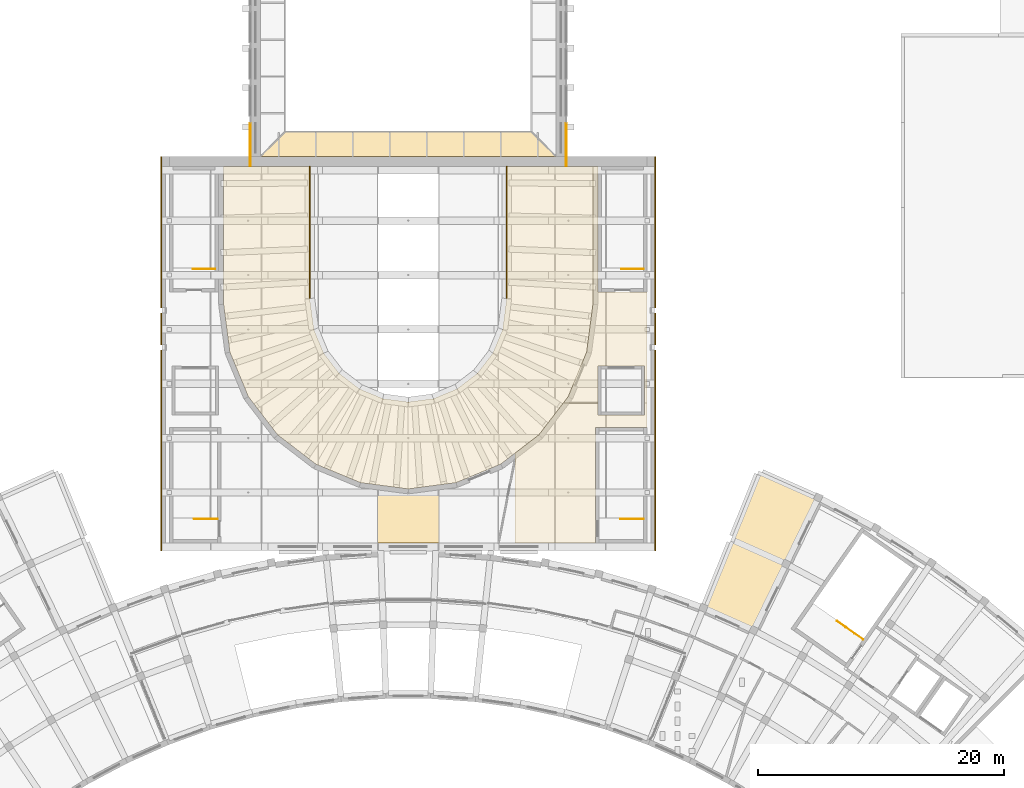
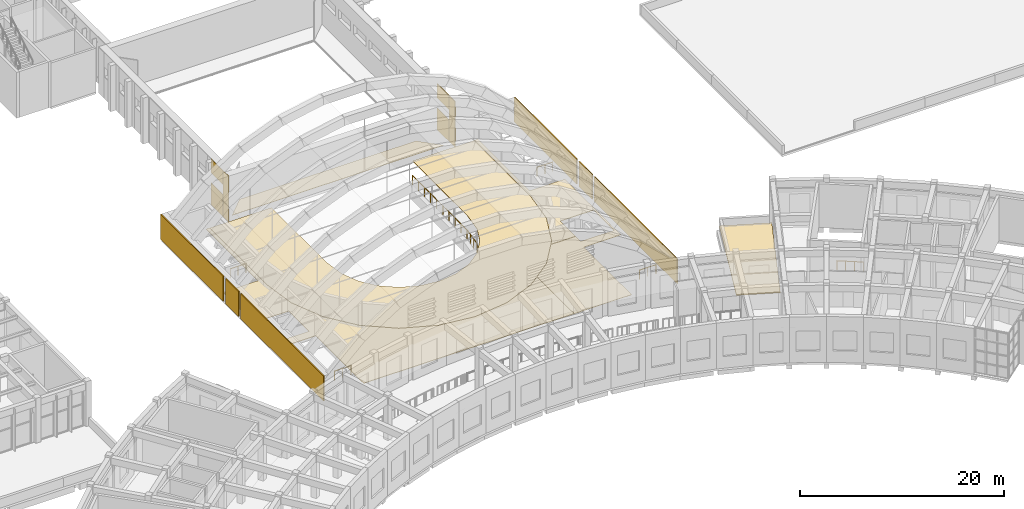
# One storey, part 86 of 94: 18 coverings, 6 railings.
"""IFC4 building model written with IfcOpenShell, lengths in metres."""

from ifc_helpers import new_model, si_unit, direction, frame, origin, origin_2d, place, context, subcontext, project, spatial, polyline, rectangle, circle, outline, extrude, material, layer, layer_set, type_object, element, save


model = new_model("IFC4")

# Units and contexts
model_context = context("Model", 3, precision=1e-05, world=origin(), true_north=direction((0.0, 1.0)))
body_context = subcontext(model_context, "Body", "Model", "MODEL_VIEW")
ifc_project = project(units=[si_unit("LENGTHUNIT", "METRE"), si_unit("AREAUNIT", "SQUARE_METRE"), si_unit("VOLUMEUNIT", "CUBIC_METRE"), si_unit("PLANEANGLEUNIT", "RADIAN"), si_unit("MASSUNIT", "GRAM", prefix="KILO")], contexts=[model_context])

# Site, building, storey
site_placement = place(None, origin())
site = spatial("IfcSite", under=ifc_project, at=site_placement, CompositionType="ELEMENT")
building_placement = place(site_placement, origin())
building = spatial("IfcBuilding", under=site, at=building_placement, Name="Lunette Opera House", CompositionType="ELEMENT")
storey_placement = place(building_placement, frame((0.0, 0.0, 22.5)))
storey = spatial("IfcBuildingStorey", under=building, at=storey_placement, Name="L04", CompositionType="ELEMENT", Elevation=22.5)

# Coverings
ifc_material_1 = material(Name="Clinker brick", Category="masonry")
ifc_layer_1 = layer(ifc_material_1, 0.114990234375)
ifc_layer_set_1 = layer_set([ifc_layer_1], Name="Clinker brick")
covering_type_1 = type_object("IfcCoveringType", Name="CLINKER CLADDING 115", PredefinedType="CLADDING", material=ifc_layer_set_1)
covering_1_placement = place(storey_placement, frame((75.94189453125, 72.137939453125, 0.0), z_axis=(0.0, 0.0, 1.0), x_axis=(1.0, 0.0, 0.0)))
element("IfcCovering", 1, at=covering_1_placement, inside=storey, type_object=covering_type_1, Name="Clinker cladding WL L04 1", PredefinedType="CLADDING", context=body_context, shape_type="SweptSolid", body=[
    extrude(rectangle(XDim=0.114990234375, YDim=16.27490234375, at=origin_2d()), origin(), (0.0, 0.0, 1.0), 3.0),
])
covering_2_placement = place(storey_placement, frame((75.94189453125, 82.0, 0.0), z_axis=(0.0, 0.0, 1.0), x_axis=(1.0, 0.0, 0.0)))
element("IfcCovering", 2, at=covering_2_placement, inside=storey, type_object=covering_type_1, Name="Clinker cladding WL L04 2", PredefinedType="CLADDING", context=body_context, shape_type="SweptSolid", body=[
    extrude(rectangle(XDim=0.114990234375, YDim=2.550048828125, at=origin_2d()), origin(), (0.0, 0.0, 1.0), 3.0),
])
covering_3_placement = place(storey_placement, frame((75.94189453125, 89.862060546875, 0.0), z_axis=(0.0, 0.0, 1.0), x_axis=(1.0, 0.0, 0.0)))
element("IfcCovering", 3, at=covering_3_placement, inside=storey, type_object=covering_type_1, Name="Clinker cladding WL L04 3", PredefinedType="CLADDING", context=body_context, shape_type="SweptSolid", body=[
    extrude(rectangle(XDim=0.114990234375, YDim=12.27490234375, at=origin_2d()), origin(), (0.0, 0.0, 1.0), 3.0),
])
covering_4_placement = place(storey_placement, frame((116.05810546875, 72.137939453125, 0.0), z_axis=(0.0, 0.0, 1.0), x_axis=(1.0, 0.0, 0.0)))
element("IfcCovering", 4, at=covering_4_placement, inside=storey, type_object=covering_type_1, Name="Clinker cladding WE L04 1", PredefinedType="CLADDING", context=body_context, shape_type="SweptSolid", body=[
    extrude(rectangle(XDim=0.114990234375, YDim=16.27490234375, at=origin_2d()), origin(), (0.0, 0.0, 1.0), 3.0),
])
covering_5_placement = place(storey_placement, frame((116.05810546875, 82.0, 0.0), z_axis=(0.0, 0.0, 1.0), x_axis=(1.0, 0.0, 0.0)))
element("IfcCovering", 5, at=covering_5_placement, inside=storey, type_object=covering_type_1, Name="Clinker cladding WE L04 2", PredefinedType="CLADDING", context=body_context, shape_type="SweptSolid", body=[
    extrude(rectangle(XDim=0.114990234375, YDim=2.550048828125, at=origin_2d()), origin(), (0.0, 0.0, 1.0), 3.0),
])
covering_6_placement = place(storey_placement, frame((116.05810546875, 89.862060546875, 0.0), z_axis=(0.0, 0.0, 1.0), x_axis=(1.0, 0.0, 0.0)))
element("IfcCovering", 6, at=covering_6_placement, inside=storey, type_object=covering_type_1, Name="Clinker cladding WE L04 3", PredefinedType="CLADDING", context=body_context, shape_type="SweptSolid", body=[
    extrude(rectangle(XDim=0.114990234375, YDim=12.27490234375, at=origin_2d()), origin(), (0.0, 0.0, 1.0), 3.0),
])
ifc_material_2 = material(Name="Bitumen membrane on mineral wool")
ifc_layer_2 = layer(ifc_material_2, 0.1201171875)
ifc_layer_set_2 = layer_set([ifc_layer_2], Name="Bitumen membrane on mineral wool")
covering_type_2 = type_object("IfcCoveringType", Name="FLAT ROOF MEMBRANE 120", PredefinedType="ROOFING", material=ifc_layer_set_2)
covering_7_placement = place(storey_placement, origin())
element("IfcCovering", 7, at=covering_7_placement, inside=storey, type_object=covering_type_2, Name="Flat roof membrane FC L03 21", PredefinedType="ROOFING", context=body_context, shape_type="SweptSolid", body=[
    extrude(outline(polyline([(120.047119140625, 59.385009765625), (124.4970703125, 70.39892578125), (129.22998046875, 68.2919921875), (124.02294921875, 57.614013671875), (120.047119140625, 59.385009765625)])), origin(), (0.0, 0.0, 1.0), 0.1201171875),
])

# Railings
ifc_material_3 = material(Name="Steel S355", Category="steel")
railing_type_1 = type_object("IfcRailingType", Name="STAIR GUARD 1100", PredefinedType="GUARDRAIL", material=ifc_material_3)
railing_1_placement = place(storey_placement, frame((80.300048828125, 86.8701171875, 0.0)))
element("IfcRailing", 8, at=railing_1_placement, inside=storey, type_object=railing_type_1, Name="L04 ST10 top well guard 1", PredefinedType="GUARDRAIL", context=body_context, shape_type="SweptSolid", body=[
    extrude(circle(Radius=0.02392578125, at=origin_2d()), frame((0.0, 0.0, 1.076171875), z_axis=(-1.0, 0.0, 0.0), x_axis=(0.0, -1.0, 0.0)), (0.0, 0.0, 1.0), 1.780029296875),
    extrude(circle(Radius=0.02099609375, at=origin_2d()), origin(), (0.0, 0.0, 1.0), 1.052001953125),
    extrude(circle(Radius=0.02099609375, at=origin_2d()), frame((-0.89013671875, 0.0, 0.0)), (0.0, 0.0, 1.0), 1.052001953125),
    extrude(circle(Radius=0.02099609375, at=origin_2d()), frame((-1.780029296875, 0.0, 0.0)), (0.0, 0.0, 1.0), 1.052001953125),
])
railing_2_placement = place(storey_placement, frame((132.947509765625, 56.775634765625, 0.0)))
element("IfcRailing", 9, at=railing_2_placement, inside=storey, type_object=railing_type_1, Name="L04 ST3 top well guard 1", PredefinedType="GUARDRAIL", context=body_context, shape_type="SweptSolid", body=[
    extrude(circle(Radius=0.02392578125, at=origin_2d()), frame((0.0, 0.0, 1.076171875), z_axis=(-0.819152528511, 0.573575744809, 0.0), x_axis=(-0.573575744809, -0.819152528511, 0.0)), (0.0, 0.0, 1.0), 2.6005859375),
    extrude(circle(Radius=0.02099609375, at=origin_2d()), origin(), (0.0, 0.0, 1.0), 1.052001953125),
    extrude(circle(Radius=0.02099609375, at=origin_2d()), frame((-0.710205078125, 0.497314453125, 0.0)), (0.0, 0.0, 1.0), 1.052001953125),
    extrude(circle(Radius=0.02099609375, at=origin_2d()), frame((-1.420166015625, 0.994384765625, 0.0)), (0.0, 0.0, 1.0), 1.052001953125),
    extrude(circle(Radius=0.02099609375, at=origin_2d()), frame((-2.13037109375, 1.49169921875, 0.0)), (0.0, 0.0, 1.0), 1.052001953125),
])
railing_3_placement = place(storey_placement, frame((80.5, 66.570068359375, 0.0)))
element("IfcRailing", 10, at=railing_3_placement, inside=storey, type_object=railing_type_1, Name="L04 ST7 top well guard 1", PredefinedType="GUARDRAIL", context=body_context, shape_type="SweptSolid", body=[
    extrude(circle(Radius=0.02392578125, at=origin_2d()), frame((0.0, 0.0, 1.076171875), z_axis=(-1.0, 0.0, 0.0), x_axis=(0.0, -1.0, 0.0)), (0.0, 0.0, 1.0), 1.8798828125),
    extrude(circle(Radius=0.02099609375, at=origin_2d()), origin(), (0.0, 0.0, 1.0), 1.052001953125),
    extrude(circle(Radius=0.02099609375, at=origin_2d()), frame((-0.93994140625, 0.0, 0.0)), (0.0, 0.0, 1.0), 1.052001953125),
    extrude(circle(Radius=0.02099609375, at=origin_2d()), frame((-1.8798828125, 0.0, 0.0)), (0.0, 0.0, 1.0), 1.052001953125),
])
railing_4_placement = place(storey_placement, frame((115.10009765625, 66.570068359375, 0.0)))
element("IfcRailing", 11, at=railing_4_placement, inside=storey, type_object=railing_type_1, Name="L04 ST8 top well guard 1", PredefinedType="GUARDRAIL", context=body_context, shape_type="SweptSolid", body=[
    extrude(circle(Radius=0.02392578125, at=origin_2d()), frame((0.0, 0.0, 1.076171875), z_axis=(-1.0, 0.0, 0.0), x_axis=(0.0, -1.0, 0.0)), (0.0, 0.0, 1.0), 1.880126953125),
    extrude(circle(Radius=0.02099609375, at=origin_2d()), origin(), (0.0, 0.0, 1.0), 1.052001953125),
    extrude(circle(Radius=0.02099609375, at=origin_2d()), frame((-0.93994140625, 0.0, 0.0)), (0.0, 0.0, 1.0), 1.052001953125),
    extrude(circle(Radius=0.02099609375, at=origin_2d()), frame((-1.880126953125, 0.0, 0.0)), (0.0, 0.0, 1.0), 1.052001953125),
])
railing_5_placement = place(storey_placement, frame((115.10009765625, 86.8701171875, 0.0)))
element("IfcRailing", 12, at=railing_5_placement, inside=storey, type_object=railing_type_1, Name="L04 ST9 top well guard 1", PredefinedType="GUARDRAIL", context=body_context, shape_type="SweptSolid", body=[
    extrude(circle(Radius=0.02392578125, at=origin_2d()), frame((0.0, 0.0, 1.076171875), z_axis=(-1.0, 0.0, 0.0), x_axis=(0.0, -1.0, 0.0)), (0.0, 0.0, 1.0), 1.780029296875),
    extrude(circle(Radius=0.02099609375, at=origin_2d()), origin(), (0.0, 0.0, 1.0), 1.052001953125),
    extrude(circle(Radius=0.02099609375, at=origin_2d()), frame((-0.89013671875, 0.0, 0.0)), (0.0, 0.0, 1.0), 1.052001953125),
    extrude(circle(Radius=0.02099609375, at=origin_2d()), frame((-1.780029296875, 0.0, 0.0)), (0.0, 0.0, 1.0), 1.052001953125),
])

# Coverings
ifc_material_4 = material(Name="Aluminium standing seam cladding", Category="aluminium")
ifc_layer_3 = layer(ifc_material_4, 0.06005859375)
ifc_layer_set_3 = layer_set([ifc_layer_3], Name="Aluminium standing seam cladding")
covering_type_3 = type_object("IfcCoveringType", Name="STANDING SEAM CLADDING 60", PredefinedType="CLADDING", material=ifc_layer_set_3)
covering_8_placement = place(storey_placement, frame((83.169921875, 95.75, 0.0), z_axis=(0.0, 0.0, 1.0), x_axis=(0.0, 1.0, 0.0)))
element("IfcCovering", 13, at=covering_8_placement, inside=storey, type_object=covering_type_3, Name="Standing seam cladding WW L04 00", PredefinedType="CLADDING", context=body_context, shape_type="SweptSolid", body=[
    extrude(rectangle(XDim=1.10009765625, YDim=0.06005859375, at=origin_2d()), origin(), (0.0, 0.0, 1.0), 5.5),
])
covering_9_placement = place(storey_placement, frame((83.169921875, 97.5, 0.0), z_axis=(0.0, 0.0, 1.0), x_axis=(0.0, 1.0, 0.0)))
element("IfcCovering", 14, at=covering_9_placement, inside=storey, type_object=covering_type_3, Name="Standing seam cladding WW L04 10", PredefinedType="CLADDING", context=body_context, shape_type="SweptSolid", body=[
    extrude(rectangle(XDim=2.39990234375, YDim=0.06005859375, at=origin_2d()), origin(), (0.0, 0.0, 1.0), 2.60009765625),
])
covering_10_placement = place(storey_placement, frame((83.169921875, 97.5, 3.7998046875), z_axis=(0.0, 0.0, 1.0), x_axis=(0.0, 1.0, 0.0)))
element("IfcCovering", 15, at=covering_10_placement, inside=storey, type_object=covering_type_3, Name="Standing seam cladding WW L04 11", PredefinedType="CLADDING", context=body_context, shape_type="SweptSolid", body=[
    extrude(rectangle(XDim=2.39990234375, YDim=0.06005859375, at=origin_2d()), origin(), (0.0, 0.0, 1.0), 1.699951171875),
])
covering_11_placement = place(storey_placement, frame((108.830078125, 95.75, 0.0), z_axis=(0.0, 0.0, 1.0), x_axis=(0.0, 1.0, 0.0)))
element("IfcCovering", 16, at=covering_11_placement, inside=storey, type_object=covering_type_3, Name="Standing seam cladding WE L04 00", PredefinedType="CLADDING", context=body_context, shape_type="SweptSolid", body=[
    extrude(rectangle(XDim=1.10009765625, YDim=0.06005859375, at=origin_2d()), origin(), (0.0, 0.0, 1.0), 5.5),
])
covering_12_placement = place(storey_placement, frame((108.830078125, 97.5, 0.0), z_axis=(0.0, 0.0, 1.0), x_axis=(0.0, 1.0, 0.0)))
element("IfcCovering", 17, at=covering_12_placement, inside=storey, type_object=covering_type_3, Name="Standing seam cladding WE L04 10", PredefinedType="CLADDING", context=body_context, shape_type="SweptSolid", body=[
    extrude(rectangle(XDim=2.39990234375, YDim=0.06005859375, at=origin_2d()), origin(), (0.0, 0.0, 1.0), 2.60009765625),
])
covering_13_placement = place(storey_placement, frame((108.830078125, 97.5, 3.7998046875), z_axis=(0.0, 0.0, 1.0), x_axis=(0.0, 1.0, 0.0)))
element("IfcCovering", 18, at=covering_13_placement, inside=storey, type_object=covering_type_3, Name="Standing seam cladding WE L04 11", PredefinedType="CLADDING", context=body_context, shape_type="SweptSolid", body=[
    extrude(rectangle(XDim=2.39990234375, YDim=0.06005859375, at=origin_2d()), origin(), (0.0, 0.0, 1.0), 1.699951171875),
])
ifc_material_5 = material(Name="Terrazzo")
ifc_layer_4 = layer(ifc_material_5, 0.06005859375)
ifc_layer_set_4 = layer_set([ifc_layer_4], Name="Terrazzo")
covering_type_4 = type_object("IfcCoveringType", Name="TERRAZZO FLOOR FINISH 60", PredefinedType="FLOORING", material=ifc_layer_set_4)
covering_14_placement = place(storey_placement, origin())
element("IfcCovering", 19, at=covering_14_placement, inside=storey, type_object=covering_type_4, Name="Floor finish Gallery Promenade", PredefinedType="FLOORING", context=body_context, shape_type="SweptSolid", body=[
    extrude(outline(polyline([(80.800048828125, 74.0), (76.60009765625, 74.0), (76.60009765625, 85.0), (80.60009765625, 85.0), (80.60009765625, 95.199951171875), (81.0, 95.199951171875), (81.0, 84.0), (81.510986328125, 80.117919921875), (83.010009765625, 76.5), (85.39306640625, 73.39306640625), (88.5, 71.010009765625), (92.117919921875, 69.510986328125), (96.0, 69.0), (99.882080078125, 69.510986328125), (103.5, 71.010009765625), (104.662109375, 71.90087890625), (104.662109375, 64.60009765625), (80.800048828125, 64.60009765625), (80.800048828125, 74.0)]), holes=[polyline([(80.60009765625, 79.0), (76.800048828125, 79.0), (76.800048828125, 75.0), (80.60009765625, 75.0), (80.60009765625, 79.0)])]), origin(), (0.0, 0.0, 1.0), 0.06005859375),
])
covering_15_placement = place(storey_placement, origin())
element("IfcCovering", 20, at=covering_15_placement, inside=storey, type_object=covering_type_4, Name="Floor finish Gallery Promenade East", PredefinedType="FLOORING", context=body_context, shape_type="SweptSolid", body=[
    extrude(outline(polyline([(110.489013671875, 80.117919921875), (111.0, 84.0), (111.0, 95.199951171875), (111.39990234375, 95.199951171875), (111.39990234375, 85.0), (115.39990234375, 85.0), (115.39990234375, 76.0), (115.199951171875, 76.0), (115.199951171875, 79.0), (111.39990234375, 79.0), (111.39990234375, 76.0), (108.60693359375, 76.0), (108.989990234375, 76.5), (110.489013671875, 80.117919921875)])), origin(), (0.0, 0.0, 1.0), 0.06005859375),
])

# Railing
ifc_material_6 = material(Name="Steel S355", Category="steel")
railing_type_2 = type_object("IfcRailingType", Name="TIER BALUSTRADE 1100", PredefinedType="BALUSTRADE", material=ifc_material_6)
railing_6_placement = place(storey_placement, frame((88.0, 95.199951171875, -2.800048828125)))
element("IfcRailing", 21, at=railing_6_placement, inside=storey, type_object=railing_type_2, Name="Tier front balustrade 3", PredefinedType="BALUSTRADE", context=body_context, shape_type="SweptSolid", body=[
    extrude(circle(Radius=0.02392578125, at=origin_2d()), frame((0.0, 0.0, 1.076171875), z_axis=(0.0, -1.0, 0.0), x_axis=(1.0, 0.0, 0.0)), (0.0, 0.0, 1.0), 10.740966796875),
    extrude(circle(Radius=0.02392578125, at=origin_2d()), frame((0.0, -10.740966796875, 1.076171875), z_axis=(0.130561610971, -0.991440197763, 0.0), x_axis=(0.991440197763, 0.130561610971, 0.0)), (0.0, 0.0, 1.0), 2.53564453125),
    extrude(circle(Radius=0.02392578125, at=origin_2d()), frame((0.3310546875, -13.2548828125, 1.076171875), z_axis=(0.382573724394, -0.92392496741, 0.0), x_axis=(0.92392496741, 0.382573724394, 0.0)), (0.0, 0.0, 1.0), 2.07275390625),
    extrude(circle(Radius=0.02392578125, at=origin_2d()), frame((1.1240234375, -15.169921875, 1.076171875), z_axis=(0.608896365131, -0.793249781929, 0.0), x_axis=(0.793249781929, 0.608896365131, 0.0)), (0.0, 0.0, 1.0), 2.072509765625),
    extrude(circle(Radius=0.02392578125, at=origin_2d()), frame((2.385986328125, -16.81396484375, 1.076171875), z_axis=(0.793249781929, -0.608896365131, 0.0), x_axis=(0.608896365131, 0.793249781929, 0.0)), (0.0, 0.0, 1.0), 2.072509765625),
    extrude(circle(Radius=0.02392578125, at=origin_2d()), frame((4.030029296875, -18.075927734375, 1.076171875), z_axis=(0.92392496741, -0.382573724394, 0.0), x_axis=(0.382573724394, 0.92392496741, 0.0)), (0.0, 0.0, 1.0), 2.07275390625),
    extrude(circle(Radius=0.02392578125, at=origin_2d()), frame((5.945068359375, -18.868896484375, 1.076171875), z_axis=(0.99141616684, -0.130743964024, 0.0), x_axis=(0.130743964024, 0.99141616684, 0.0)), (0.0, 0.0, 1.0), 2.07275390625),
    extrude(circle(Radius=0.02392578125, at=origin_2d()), frame((8.0, -19.139892578125, 1.076171875), z_axis=(0.99141616684, 0.130743964024, 0.0), x_axis=(-0.130743964024, 0.99141616684, 0.0)), (0.0, 0.0, 1.0), 2.07275390625),
    extrude(circle(Radius=0.02392578125, at=origin_2d()), frame((10.054931640625, -18.868896484375, 1.076171875), z_axis=(0.92392496741, 0.382573724394, 0.0), x_axis=(-0.382573724394, 0.92392496741, 0.0)), (0.0, 0.0, 1.0), 2.07275390625),
    extrude(circle(Radius=0.02392578125, at=origin_2d()), frame((11.969970703125, -18.075927734375, 1.076171875), z_axis=(0.793249781929, 0.608896365131, 0.0), x_axis=(-0.608896365131, 0.793249781929, 0.0)), (0.0, 0.0, 1.0), 2.072509765625),
    extrude(circle(Radius=0.02392578125, at=origin_2d()), frame((13.614013671875, -16.81396484375, 1.076171875), z_axis=(0.608896365131, 0.793249781929, 0.0), x_axis=(-0.793249781929, 0.608896365131, 0.0)), (0.0, 0.0, 1.0), 2.072509765625),
    extrude(circle(Radius=0.02392578125, at=origin_2d()), frame((14.8759765625, -15.169921875, 1.076171875), z_axis=(0.382573724394, 0.92392496741, 0.0), x_axis=(-0.92392496741, 0.382573724394, 0.0)), (0.0, 0.0, 1.0), 2.07275390625),
    extrude(circle(Radius=0.02392578125, at=origin_2d()), frame((15.6689453125, -13.2548828125, 1.076171875), z_axis=(0.130561610971, 0.991440197763, 0.0), x_axis=(-0.991440197763, 0.130561610971, 0.0)), (0.0, 0.0, 1.0), 2.53564453125),
    extrude(circle(Radius=0.02392578125, at=origin_2d()), frame((16.0, -10.740966796875, 1.076171875), z_axis=(0.0, 1.0, 0.0), x_axis=(-1.0, 0.0, 0.0)), (0.0, 0.0, 1.0), 10.740966796875),
    extrude(circle(Radius=0.02099609375, at=origin_2d()), origin(), (0.0, 0.0, 1.0), 1.052001953125),
    extrude(circle(Radius=0.02099609375, at=origin_2d()), frame((0.0, -1.193359375, 0.0)), (0.0, 0.0, 1.0), 1.052001953125),
    extrude(circle(Radius=0.02099609375, at=origin_2d()), frame((0.0, -2.386962890625, 0.0)), (0.0, 0.0, 1.0), 1.052001953125),
    extrude(circle(Radius=0.02099609375, at=origin_2d()), frame((0.0, -3.580322265625, 0.0)), (0.0, 0.0, 1.0), 1.052001953125),
    extrude(circle(Radius=0.02099609375, at=origin_2d()), frame((0.0, -4.773681640625, 0.0)), (0.0, 0.0, 1.0), 1.052001953125),
    extrude(circle(Radius=0.02099609375, at=origin_2d()), frame((0.0, -5.96728515625, 0.0)), (0.0, 0.0, 1.0), 1.052001953125),
    extrude(circle(Radius=0.02099609375, at=origin_2d()), frame((0.0, -7.16064453125, 0.0)), (0.0, 0.0, 1.0), 1.052001953125),
    extrude(circle(Radius=0.02099609375, at=origin_2d()), frame((0.0, -8.35400390625, 0.0)), (0.0, 0.0, 1.0), 1.052001953125),
    extrude(circle(Radius=0.02099609375, at=origin_2d()), frame((0.0, -9.547607421875, 0.0)), (0.0, 0.0, 1.0), 1.052001953125),
    extrude(circle(Radius=0.02099609375, at=origin_2d()), frame((0.0, -10.740966796875, 0.0)), (0.0, 0.0, 1.0), 1.052001953125),
    extrude(circle(Radius=0.02099609375, at=origin_2d()), frame((0.1103515625, -11.578857421875, 0.0)), (0.0, 0.0, 1.0), 1.052001953125),
    extrude(circle(Radius=0.02099609375, at=origin_2d()), frame((0.220703125, -12.4169921875, 0.0)), (0.0, 0.0, 1.0), 1.052001953125),
    extrude(circle(Radius=0.02099609375, at=origin_2d()), frame((0.3310546875, -13.2548828125, 0.0)), (0.0, 0.0, 1.0), 1.052001953125),
    extrude(circle(Radius=0.02099609375, at=origin_2d()), frame((0.7275390625, -14.21240234375, 0.0)), (0.0, 0.0, 1.0), 1.052001953125),
    extrude(circle(Radius=0.02099609375, at=origin_2d()), frame((1.1240234375, -15.169921875, 0.0)), (0.0, 0.0, 1.0), 1.052001953125),
    extrude(circle(Radius=0.02099609375, at=origin_2d()), frame((1.7548828125, -15.991943359375, 0.0)), (0.0, 0.0, 1.0), 1.052001953125),
    extrude(circle(Radius=0.02099609375, at=origin_2d()), frame((2.385986328125, -16.81396484375, 0.0)), (0.0, 0.0, 1.0), 1.052001953125),
    extrude(circle(Radius=0.02099609375, at=origin_2d()), frame((3.2080078125, -17.44482421875, 0.0)), (0.0, 0.0, 1.0), 1.052001953125),
    extrude(circle(Radius=0.02099609375, at=origin_2d()), frame((4.030029296875, -18.075927734375, 0.0)), (0.0, 0.0, 1.0), 1.052001953125),
    extrude(circle(Radius=0.02099609375, at=origin_2d()), frame((4.987548828125, -18.472412109375, 0.0)), (0.0, 0.0, 1.0), 1.052001953125),
    extrude(circle(Radius=0.02099609375, at=origin_2d()), frame((5.945068359375, -18.868896484375, 0.0)), (0.0, 0.0, 1.0), 1.052001953125),
    extrude(circle(Radius=0.02099609375, at=origin_2d()), frame((6.97265625, -19.00439453125, 0.0)), (0.0, 0.0, 1.0), 1.052001953125),
    extrude(circle(Radius=0.02099609375, at=origin_2d()), frame((8.0, -19.139892578125, 0.0)), (0.0, 0.0, 1.0), 1.052001953125),
    extrude(circle(Radius=0.02099609375, at=origin_2d()), frame((9.02734375, -19.00439453125, 0.0)), (0.0, 0.0, 1.0), 1.052001953125),
    extrude(circle(Radius=0.02099609375, at=origin_2d()), frame((10.054931640625, -18.868896484375, 0.0)), (0.0, 0.0, 1.0), 1.052001953125),
    extrude(circle(Radius=0.02099609375, at=origin_2d()), frame((11.012451171875, -18.472412109375, 0.0)), (0.0, 0.0, 1.0), 1.052001953125),
    extrude(circle(Radius=0.02099609375, at=origin_2d()), frame((11.969970703125, -18.075927734375, 0.0)), (0.0, 0.0, 1.0), 1.052001953125),
    extrude(circle(Radius=0.02099609375, at=origin_2d()), frame((12.7919921875, -17.44482421875, 0.0)), (0.0, 0.0, 1.0), 1.052001953125),
    extrude(circle(Radius=0.02099609375, at=origin_2d()), frame((13.614013671875, -16.81396484375, 0.0)), (0.0, 0.0, 1.0), 1.052001953125),
    extrude(circle(Radius=0.02099609375, at=origin_2d()), frame((14.2451171875, -15.991943359375, 0.0)), (0.0, 0.0, 1.0), 1.052001953125),
    extrude(circle(Radius=0.02099609375, at=origin_2d()), frame((14.8759765625, -15.169921875, 0.0)), (0.0, 0.0, 1.0), 1.052001953125),
    extrude(circle(Radius=0.02099609375, at=origin_2d()), frame((15.2724609375, -14.21240234375, 0.0)), (0.0, 0.0, 1.0), 1.052001953125),
    extrude(circle(Radius=0.02099609375, at=origin_2d()), frame((15.6689453125, -13.2548828125, 0.0)), (0.0, 0.0, 1.0), 1.052001953125),
    extrude(circle(Radius=0.02099609375, at=origin_2d()), frame((15.779296875, -12.4169921875, 0.0)), (0.0, 0.0, 1.0), 1.052001953125),
    extrude(circle(Radius=0.02099609375, at=origin_2d()), frame((15.8896484375, -11.578857421875, 0.0)), (0.0, 0.0, 1.0), 1.052001953125),
    extrude(circle(Radius=0.02099609375, at=origin_2d()), frame((16.0, -10.740966796875, 0.0)), (0.0, 0.0, 1.0), 1.052001953125),
    extrude(circle(Radius=0.02099609375, at=origin_2d()), frame((16.0, -9.547607421875, 0.0)), (0.0, 0.0, 1.0), 1.052001953125),
    extrude(circle(Radius=0.02099609375, at=origin_2d()), frame((16.0, -8.35400390625, 0.0)), (0.0, 0.0, 1.0), 1.052001953125),
    extrude(circle(Radius=0.02099609375, at=origin_2d()), frame((16.0, -7.16064453125, 0.0)), (0.0, 0.0, 1.0), 1.052001953125),
    extrude(circle(Radius=0.02099609375, at=origin_2d()), frame((16.0, -5.96728515625, 0.0)), (0.0, 0.0, 1.0), 1.052001953125),
    extrude(circle(Radius=0.02099609375, at=origin_2d()), frame((16.0, -4.773681640625, 0.0)), (0.0, 0.0, 1.0), 1.052001953125),
    extrude(circle(Radius=0.02099609375, at=origin_2d()), frame((16.0, -3.580322265625, 0.0)), (0.0, 0.0, 1.0), 1.052001953125),
    extrude(circle(Radius=0.02099609375, at=origin_2d()), frame((16.0, -2.386962890625, 0.0)), (0.0, 0.0, 1.0), 1.052001953125),
    extrude(circle(Radius=0.02099609375, at=origin_2d()), frame((16.0, -1.193359375, 0.0)), (0.0, 0.0, 1.0), 1.052001953125),
    extrude(circle(Radius=0.02099609375, at=origin_2d()), frame((16.0, 0.0, 0.0)), (0.0, 0.0, 1.0), 1.052001953125),
])

# Coverings
ifc_material_7 = material(Name="Timber", Category="wood")
ifc_layer_5 = layer(ifc_material_7, 0.0400390625)
ifc_layer_set_5 = layer_set([ifc_layer_5], Name="Timber")
covering_type_5 = type_object("IfcCoveringType", Name="TIMBER FLOOR FINISH 40", PredefinedType="FLOORING", material=ifc_layer_set_5)
covering_16_placement = place(storey_placement, origin())
element("IfcCovering", 22, at=covering_16_placement, inside=storey, type_object=covering_type_5, Name="Floor finish Auditorium Gallery", PredefinedType="FLOORING", context=body_context, shape_type="SweptSolid", body=[
    extrude(outline(polyline([(111.0, 84.0), (110.489013671875, 80.117919921875), (108.989990234375, 76.5), (106.60693359375, 73.39306640625), (103.5, 71.010009765625), (99.882080078125, 69.510986328125), (96.0, 69.0), (92.117919921875, 69.510986328125), (88.5, 71.010009765625), (85.39306640625, 73.39306640625), (83.010009765625, 76.5), (81.510986328125, 80.117919921875), (81.0, 84.0), (81.0, 95.199951171875), (88.0, 95.199951171875), (88.0, 84.458984375), (88.3310546875, 81.945068359375), (89.1240234375, 80.030029296875), (90.385986328125, 78.385986328125), (92.030029296875, 77.1240234375), (93.945068359375, 76.3310546875), (96.0, 76.06005859375), (98.054931640625, 76.3310546875), (99.969970703125, 77.1240234375), (101.614013671875, 78.385986328125), (102.8759765625, 80.030029296875), (103.6689453125, 81.945068359375), (104.0, 84.458984375), (104.0, 95.199951171875), (111.0, 95.199951171875), (111.0, 84.0)])), origin(), (0.0, 0.0, 1.0), 0.0400390625),
])
covering_17_placement = place(storey_placement, origin())
element("IfcCovering", 23, at=covering_17_placement, inside=storey, type_object=covering_type_5, Name="Floor finish Projection and Light Control", PredefinedType="FLOORING", context=body_context, shape_type="SweptSolid", body=[
    extrude(outline(polyline([(104.662109375, 64.60009765625), (104.662109375, 71.902099609375), (106.60693359375, 73.39306640625), (108.60693359375, 76.0), (111.39990234375, 76.0), (111.39990234375, 75.0), (115.199951171875, 75.0), (115.199951171875, 76.0), (115.39990234375, 76.0), (115.39990234375, 74.0), (111.199951171875, 74.0), (111.199951171875, 64.60009765625), (104.662109375, 64.60009765625)])), origin(), (0.0, 0.0, 1.0), 0.0400390625),
])
covering_18_placement = place(storey_placement, origin())
element("IfcCovering", 24, at=covering_18_placement, inside=storey, type_object=covering_type_5, Name="Floor finish Fly Gallery 22.5 South", PredefinedType="FLOORING", context=body_context, shape_type="SweptSolid", body=[
    extrude(outline(polyline([(86.0, 98.0), (106.0, 98.0), (108.0, 96.0), (84.0, 96.0), (86.0, 98.0)])), origin(), (0.0, 0.0, 1.0), 0.0400390625),
])

save(model, "model.ifc")
